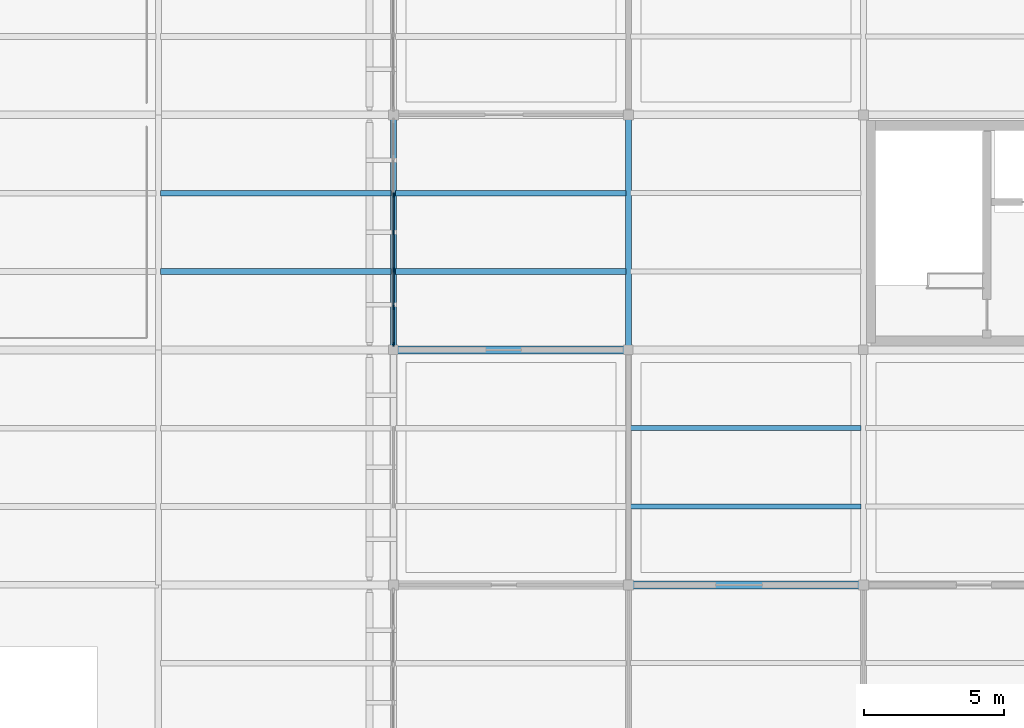
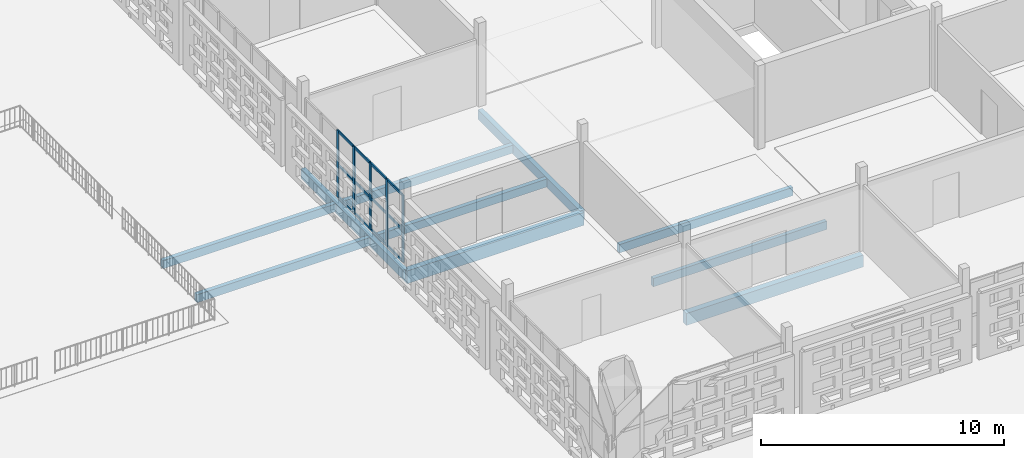
# One storey, part 58 of 166: 17 members, 10 beams, 1 element without a shape of its own.
"""IFC4 building model written with IfcOpenShell, lengths in metres."""

from ifc_helpers import new_model, si_unit, direction, frame, origin, origin_2d, place, context, subcontext, project, spatial, rectangle, extrude, material, layer, layer_set, material_profile, profile_set, type_object, element, aggregate, save


model = new_model("IFC4")

# Units and contexts
model_context = context("Model", 3, precision=1e-05, world=origin(), true_north=direction((0.0, 1.0)))
body_context = subcontext(model_context, "Body", "Model", "MODEL_VIEW")
ifc_project = project(units=[si_unit("LENGTHUNIT", "METRE"), si_unit("AREAUNIT", "SQUARE_METRE"), si_unit("VOLUMEUNIT", "CUBIC_METRE"), si_unit("PLANEANGLEUNIT", "RADIAN"), si_unit("MASSUNIT", "GRAM", prefix="KILO")], contexts=[model_context])

# Site, building, storey
site_placement = place(None, origin())
site = spatial("IfcSite", under=ifc_project, at=site_placement, CompositionType="ELEMENT")
building_placement = place(site_placement, origin())
building = spatial("IfcBuilding", under=site, at=building_placement, Name="Varnapada Polytechnic", CompositionType="ELEMENT")
storey_placement = place(building_placement, frame((0.0, 0.0, 9.60009765625)))
storey = spatial("IfcBuildingStorey", under=building, at=storey_placement, Name="L02", CompositionType="ELEMENT", Elevation=9.60009765625)

# Beams
ifc_material_1 = material(Name="Glulam GL32h", Category="wood")
ifc_material_profile_1 = material_profile(ifc_material_1, rectangle(XDim=0.280029296875, YDim=0.639892578125, at=origin_2d()), Name="GL 280x640")
ifc_profile_set_1 = profile_set([ifc_material_profile_1], Name="Glulam GL32h")
beam_type_1 = type_object("IfcBeamType", Name="Laboratory primary glulam girder GG-02 (GL 280x640)", PredefinedType="BEAM", material=ifc_profile_set_1)
beam_1_placement = place(storey_placement, frame((134.39990234375, 25.199951171875, -0.590087890625), z_axis=(1.0, 0.0, 0.0), x_axis=(0.0, 1.0, 0.0)))
element("IfcBeam", 1, at=beam_1_placement, inside=storey, type_object=beam_type_1, Name="L02 beam X 17-18 at Y4", PredefinedType="BEAM", context=body_context, shape_type="SweptSolid", body=[
    extrude(rectangle(XDim=0.280029296875, YDim=0.639892578125, at=origin_2d()), origin(), (0.0, 0.0, 1.0), 8.400146484375),
])
ifc_material_profile_2 = material_profile(ifc_material_1, rectangle(XDim=0.199951171875, YDim=0.39990234375, at=origin_2d()), Name="GL 200x400")
ifc_profile_set_2 = profile_set([ifc_material_profile_2], Name="Glulam GL32h")
beam_type_2 = type_object("IfcBeamType", Name="Library/laboratory glulam floor joist GJ-01 (GL 200x400)", PredefinedType="JOIST", material=ifc_profile_set_2)
for number, where, z_axis, x_axis, name in (
    (2, (126.080078125, 28.0, -0.47021484375), (1.0, 0.0, 0.0), (0.0, 1.0, 0.0), "L02 floor joist 16/4.1"),
    (3, (126.080078125, 30.800048828125, -0.47021484375), (1.0, 0.0, 0.0), (0.0, 1.0, 0.0), "L02 floor joist 16/4.2"),
    (4, (134.47998046875, 28.0, -0.47021484375), (1.0, 0.0, 0.0), (0.0, 1.0, 0.0), "L02 floor joist 17/4.1"),
    (5, (134.47998046875, 30.800048828125, -0.47021484375), (1.0, 0.0, 0.0), (0.0, 1.0, 0.0), "L02 floor joist 17/4.2"),
):
    element("IfcBeam", number, at=place(storey_placement, frame(where, z_axis=z_axis, x_axis=x_axis)), inside=storey, type_object=beam_type_2, Name=name, PredefinedType="JOIST", context=body_context, shape_type="SweptSolid", body=[
        extrude(rectangle(XDim=0.199951171875, YDim=0.39990234375, at=origin_2d()), origin(), (0.0, 0.0, 1.0), 8.239990234375),
    ])

# Curtain wall, members
ifc_material_2 = material(Name="Double low-E laminated glass", Category="glass")
ifc_layer = layer(ifc_material_2, 0.159912109375)
ifc_layer_set = layer_set([ifc_layer], Name="Double low-E laminated glass")
curtain_wall_type = type_object("IfcCurtainWallType", Name="Curtain Wall CW-01", PredefinedType="NOTDEFINED", material=ifc_layer_set)
curtain_wall_placement = place(storey_placement, origin())
curtain_wall = element("IfcCurtainWall", 6, at=curtain_wall_placement, inside=storey, type_object=curtain_wall_type, Name="L02 unitised curtain wall CW-01 (184)", PredefinedType="NOTDEFINED")
ifc_material_3 = material(Name="Anodised aluminium", Category="aluminium")
ifc_material_profile_3 = material_profile(ifc_material_3, rectangle(XDim=0.06005859375, YDim=0.159912109375, at=origin_2d()), Name="ALU M60x160")
ifc_profile_set_3 = profile_set([ifc_material_profile_3], Name="Anodised aluminium")
member_type_1 = type_object("IfcMemberType", Name="Mullion M-01", PredefinedType="MULLION", material=ifc_profile_set_3)
member_1_placement = place(storey_placement, frame((134.39990234375, 25.39990234375, 0.0), z_axis=(0.0, 0.0, 1.0), x_axis=(-1.0, 0.0, 0.0)))
member_1 = element("IfcMember", 7, at=member_1_placement, type_object=member_type_1, Name="CW-01 mullion 1", PredefinedType="MULLION", context=body_context, shape_type="SweptSolid", body=[
    extrude(rectangle(XDim=0.06005859375, YDim=0.159912109375, at=origin_2d()), origin(), (0.0, 0.0, 1.0), 3.35986328125),
])
member_2_placement = place(storey_placement, frame((134.39990234375, 26.711669921875, 0.0), z_axis=(0.0, 0.0, 1.0), x_axis=(-1.0, 0.0, 0.0)))
member_2 = element("IfcMember", 8, at=member_2_placement, type_object=member_type_1, Name="CW-01 mullion 2", PredefinedType="MULLION", context=body_context, shape_type="SweptSolid", body=[
    extrude(rectangle(XDim=0.06005859375, YDim=0.159912109375, at=origin_2d()), origin(), (0.0, 0.0, 1.0), 3.35986328125),
])
member_3_placement = place(storey_placement, frame((134.39990234375, 28.05322265625, 0.0), z_axis=(0.0, 0.0, 1.0), x_axis=(-1.0, 0.0, 0.0)))
member_3 = element("IfcMember", 9, at=member_3_placement, type_object=member_type_1, Name="CW-01 mullion 3", PredefinedType="MULLION", context=body_context, shape_type="SweptSolid", body=[
    extrude(rectangle(XDim=0.06005859375, YDim=0.159912109375, at=origin_2d()), origin(), (0.0, 0.0, 1.0), 3.35986328125),
])
member_4_placement = place(storey_placement, frame((134.39990234375, 29.39501953125, 0.0), z_axis=(0.0, 0.0, 1.0), x_axis=(-1.0, 0.0, 0.0)))
member_4 = element("IfcMember", 10, at=member_4_placement, type_object=member_type_1, Name="CW-01 mullion 4", PredefinedType="MULLION", context=body_context, shape_type="SweptSolid", body=[
    extrude(rectangle(XDim=0.06005859375, YDim=0.159912109375, at=origin_2d()), origin(), (0.0, 0.0, 1.0), 3.35986328125),
])
member_5_placement = place(storey_placement, frame((134.39990234375, 30.736572265625, 0.0), z_axis=(0.0, 0.0, 1.0), x_axis=(-1.0, 0.0, 0.0)))
member_5 = element("IfcMember", 11, at=member_5_placement, type_object=member_type_1, Name="CW-01 mullion 5", PredefinedType="MULLION", context=body_context, shape_type="SweptSolid", body=[
    extrude(rectangle(XDim=0.06005859375, YDim=0.159912109375, at=origin_2d()), origin(), (0.0, 0.0, 1.0), 3.35986328125),
])

# Beams
ifc_material_profile_4 = material_profile(ifc_material_1, rectangle(XDim=0.280029296875, YDim=0.60009765625, at=origin_2d()), Name="GL 280x600")
ifc_profile_set_4 = profile_set([ifc_material_profile_4], Name="Glulam GL32h")
beam_type_3 = type_object("IfcBeamType", Name="Reading hall glulam girder GG-08 (GL 280x600)", PredefinedType="BEAM", material=ifc_profile_set_4)
beam_2_placement = place(storey_placement, frame((142.800048828125, 16.800048828125, -0.550048828125), z_axis=(1.0, 0.0, 0.0), x_axis=(0.0, 1.0, 0.0)))
element("IfcBeam", 12, at=beam_2_placement, inside=storey, type_object=beam_type_3, Name="L02 beam X 18-19 at Y3", PredefinedType="BEAM", context=body_context, shape_type="SweptSolid", body=[
    extrude(rectangle(XDim=0.280029296875, YDim=0.60009765625, at=origin_2d()), origin(), (0.0, 0.0, 1.0), 8.39990234375),
])
ifc_material_profile_5 = material_profile(ifc_material_1, rectangle(XDim=0.179931640625, YDim=0.419921875, at=origin_2d()), Name="GL 180x420")
ifc_profile_set_5 = profile_set([ifc_material_profile_5], Name="Glulam GL32h")
beam_type_4 = type_object("IfcBeamType", Name="Reading hall glulam joist GJ-04 (GL 180x420)", PredefinedType="JOIST", material=ifc_profile_set_5)
for number, where, z_axis, x_axis, name in (
    (13, (142.8798828125, 19.60009765625, -0.460205078125), (1.0, 0.0, 0.0), (0.0, 1.0, 0.0), "L02 floor joist 18/3.1"),
    (14, (142.8798828125, 22.39990234375, -0.460205078125), (1.0, 0.0, 0.0), (0.0, 1.0, 0.0), "L02 floor joist 18/3.2"),
):
    element("IfcBeam", number, at=place(storey_placement, frame(where, z_axis=z_axis, x_axis=x_axis)), inside=storey, type_object=beam_type_4, Name=name, PredefinedType="JOIST", context=body_context, shape_type="SweptSolid", body=[
        extrude(rectangle(XDim=0.179931640625, YDim=0.419921875, at=origin_2d()), origin(), (0.0, 0.0, 1.0), 8.240234375),
    ])

# Member
ifc_material_profile_6 = material_profile(ifc_material_3, rectangle(XDim=0.06005859375, YDim=0.1201171875, at=origin_2d()), Name="ALU T60x120")
ifc_profile_set_6 = profile_set([ifc_material_profile_6], Name="Anodised aluminium")
member_type_2 = type_object("IfcMemberType", Name="Transom T-01", PredefinedType="USERDEFINED", material=ifc_profile_set_6)
member_6_placement = place(storey_placement, frame((134.39990234375, 25.429931640625, 0.02978515625), z_axis=(0.0, 1.0, 0.0), x_axis=(-1.0, 0.0, 0.0)))
member_6 = element("IfcMember", 15, at=member_6_placement, type_object=member_type_2, Name="CW-01 transom 1.1", ObjectType="TRANSOM", PredefinedType="USERDEFINED", context=body_context, shape_type="SweptSolid", body=[
    extrude(rectangle(XDim=0.06005859375, YDim=0.1201171875, at=origin_2d()), origin(), (0.0, 0.0, 1.0), 1.251708984375),
])

member_7_placement = place(storey_placement, frame((134.39990234375, 25.429931640625, 1.61279296875), z_axis=(0.0, 1.0, 0.0), x_axis=(-1.0, 0.0, 0.0)))
member_7 = element("IfcMember", 16, at=member_7_placement, type_object=member_type_2, Name="CW-01 transom 1.2", ObjectType="TRANSOM", PredefinedType="USERDEFINED", context=body_context, shape_type="SweptSolid", body=[
    extrude(rectangle(XDim=0.06005859375, YDim=0.1201171875, at=origin_2d()), origin(), (0.0, 0.0, 1.0), 1.251708984375),
])

member_8_placement = place(storey_placement, frame((134.39990234375, 25.429931640625, 3.329833984375), z_axis=(0.0, 1.0, 0.0), x_axis=(-1.0, 0.0, 0.0)))
member_8 = element("IfcMember", 17, at=member_8_placement, type_object=member_type_2, Name="CW-01 transom 1.3", ObjectType="TRANSOM", PredefinedType="USERDEFINED", context=body_context, shape_type="SweptSolid", body=[
    extrude(rectangle(XDim=0.06005859375, YDim=0.1201171875, at=origin_2d()), origin(), (0.0, 0.0, 1.0), 1.251708984375),
])

member_9_placement = place(storey_placement, frame((134.39990234375, 26.74169921875, 0.02978515625), z_axis=(0.0, 1.0, 0.0), x_axis=(-1.0, 0.0, 0.0)))
member_9 = element("IfcMember", 18, at=member_9_placement, type_object=member_type_2, Name="CW-01 transom 2.1", ObjectType="TRANSOM", PredefinedType="USERDEFINED", context=body_context, shape_type="SweptSolid", body=[
    extrude(rectangle(XDim=0.06005859375, YDim=0.1201171875, at=origin_2d()), origin(), (0.0, 0.0, 1.0), 1.28173828125),
])

member_10_placement = place(storey_placement, frame((134.39990234375, 26.74169921875, 1.61279296875), z_axis=(0.0, 1.0, 0.0), x_axis=(-1.0, 0.0, 0.0)))
member_10 = element("IfcMember", 19, at=member_10_placement, type_object=member_type_2, Name="CW-01 transom 2.2", ObjectType="TRANSOM", PredefinedType="USERDEFINED", context=body_context, shape_type="SweptSolid", body=[
    extrude(rectangle(XDim=0.06005859375, YDim=0.1201171875, at=origin_2d()), origin(), (0.0, 0.0, 1.0), 1.28173828125),
])

member_11_placement = place(storey_placement, frame((134.39990234375, 26.74169921875, 3.329833984375), z_axis=(0.0, 1.0, 0.0), x_axis=(-1.0, 0.0, 0.0)))
member_11 = element("IfcMember", 20, at=member_11_placement, type_object=member_type_2, Name="CW-01 transom 2.3", ObjectType="TRANSOM", PredefinedType="USERDEFINED", context=body_context, shape_type="SweptSolid", body=[
    extrude(rectangle(XDim=0.06005859375, YDim=0.1201171875, at=origin_2d()), origin(), (0.0, 0.0, 1.0), 1.28173828125),
])

member_12_placement = place(storey_placement, frame((134.39990234375, 28.083251953125, 0.02978515625), z_axis=(0.0, 1.0, 0.0), x_axis=(-1.0, 0.0, 0.0)))
member_12 = element("IfcMember", 21, at=member_12_placement, type_object=member_type_2, Name="CW-01 transom 3.1", ObjectType="TRANSOM", PredefinedType="USERDEFINED", context=body_context, shape_type="SweptSolid", body=[
    extrude(rectangle(XDim=0.06005859375, YDim=0.1201171875, at=origin_2d()), origin(), (0.0, 0.0, 1.0), 1.28173828125),
])

member_13_placement = place(storey_placement, frame((134.39990234375, 28.083251953125, 1.61279296875), z_axis=(0.0, 1.0, 0.0), x_axis=(-1.0, 0.0, 0.0)))
member_13 = element("IfcMember", 22, at=member_13_placement, type_object=member_type_2, Name="CW-01 transom 3.2", ObjectType="TRANSOM", PredefinedType="USERDEFINED", context=body_context, shape_type="SweptSolid", body=[
    extrude(rectangle(XDim=0.06005859375, YDim=0.1201171875, at=origin_2d()), origin(), (0.0, 0.0, 1.0), 1.28173828125),
])

member_14_placement = place(storey_placement, frame((134.39990234375, 28.083251953125, 3.329833984375), z_axis=(0.0, 1.0, 0.0), x_axis=(-1.0, 0.0, 0.0)))
member_14 = element("IfcMember", 23, at=member_14_placement, type_object=member_type_2, Name="CW-01 transom 3.3", ObjectType="TRANSOM", PredefinedType="USERDEFINED", context=body_context, shape_type="SweptSolid", body=[
    extrude(rectangle(XDim=0.06005859375, YDim=0.1201171875, at=origin_2d()), origin(), (0.0, 0.0, 1.0), 1.28173828125),
])

member_15_placement = place(storey_placement, frame((134.39990234375, 29.425048828125, 0.02978515625), z_axis=(0.0, 1.0, 0.0), x_axis=(-1.0, 0.0, 0.0)))
member_15 = element("IfcMember", 24, at=member_15_placement, type_object=member_type_2, Name="CW-01 transom 4.1", ObjectType="TRANSOM", PredefinedType="USERDEFINED", context=body_context, shape_type="SweptSolid", body=[
    extrude(rectangle(XDim=0.06005859375, YDim=0.1201171875, at=origin_2d()), origin(), (0.0, 0.0, 1.0), 1.28173828125),
])

member_16_placement = place(storey_placement, frame((134.39990234375, 29.425048828125, 1.61279296875), z_axis=(0.0, 1.0, 0.0), x_axis=(-1.0, 0.0, 0.0)))
member_16 = element("IfcMember", 25, at=member_16_placement, type_object=member_type_2, Name="CW-01 transom 4.2", ObjectType="TRANSOM", PredefinedType="USERDEFINED", context=body_context, shape_type="SweptSolid", body=[
    extrude(rectangle(XDim=0.06005859375, YDim=0.1201171875, at=origin_2d()), origin(), (0.0, 0.0, 1.0), 1.28173828125),
])

member_17_placement = place(storey_placement, frame((134.39990234375, 29.425048828125, 3.329833984375), z_axis=(0.0, 1.0, 0.0), x_axis=(-1.0, 0.0, 0.0)))
member_17 = element("IfcMember", 26, at=member_17_placement, type_object=member_type_2, Name="CW-01 transom 4.3", ObjectType="TRANSOM", PredefinedType="USERDEFINED", context=body_context, shape_type="SweptSolid", body=[
    extrude(rectangle(XDim=0.06005859375, YDim=0.1201171875, at=origin_2d()), origin(), (0.0, 0.0, 1.0), 1.28173828125),
])

aggregate(curtain_wall, [member_1, member_2, member_3, member_4, member_5, member_6, member_7, member_8, member_9, member_10, member_11, member_12, member_13, member_14, member_15, member_16, member_17])

# Beams
ifc_material_profile_7 = material_profile(ifc_material_1, rectangle(XDim=0.219970703125, YDim=0.47998046875, at=origin_2d()), Name="GL 220x480")
ifc_profile_set_7 = profile_set([ifc_material_profile_7], Name="Glulam GL32h")
beam_type_5 = type_object("IfcBeamType", Name="Upper floor glulam tie beam GB-11 (GL 220x480)", PredefinedType="BEAM", material=ifc_profile_set_7)
for number, where, z_axis, x_axis, name in (
    (27, (134.39990234375, 25.199951171875, -0.510009765625), (0.0, 1.0, 0.0), (-1.0, 0.0, 0.0), "L02 beam Y 4-5 at X17"),
    (28, (142.800048828125, 25.199951171875, -0.489990234375), (0.0, 1.0, 0.0), (-1.0, 0.0, 0.0), "L02 beam Y 4-5 at X18"),
):
    element("IfcBeam", number, at=place(storey_placement, frame(where, z_axis=z_axis, x_axis=x_axis)), inside=storey, type_object=beam_type_5, Name=name, PredefinedType="BEAM", context=body_context, shape_type="SweptSolid", body=[
        extrude(rectangle(XDim=0.219970703125, YDim=0.47998046875, at=origin_2d()), origin(), (0.0, 0.0, 1.0), 8.400146484375),
    ])

save(model, "model.ifc")
